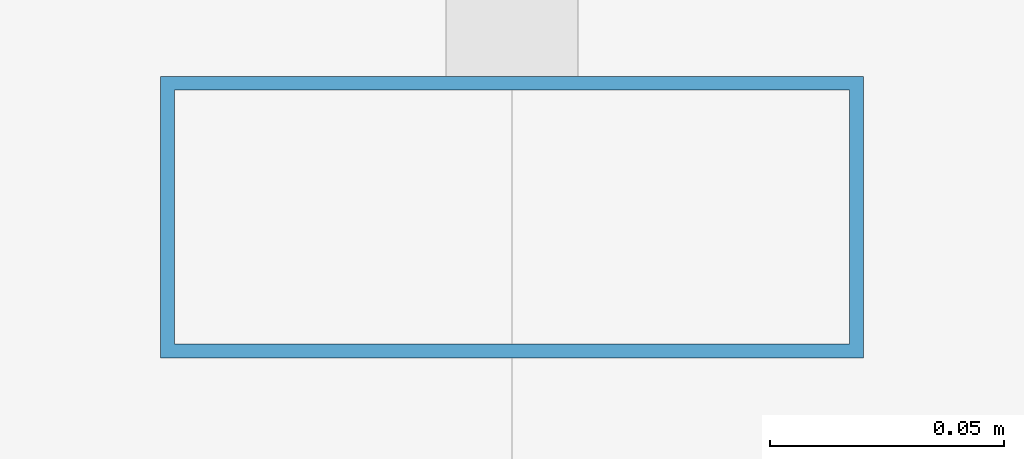
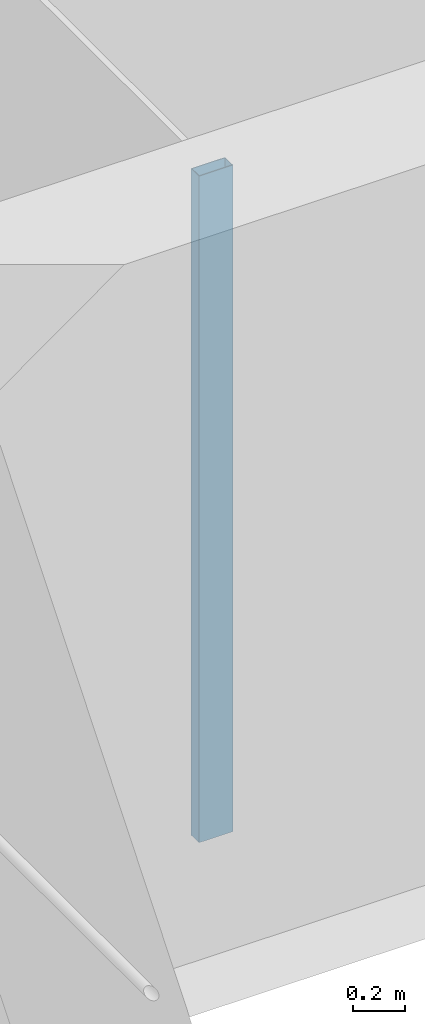
# One storey, part 11 of 40: 1 member, 1 element without a shape of its own.
"""IFC4 building model written with IfcOpenShell, lengths in metres."""

from ifc_helpers import new_model, si_unit, direction, frame, origin, origin_2d, place, context, subcontext, project, spatial, hollow_rectangle, extrude, material, material_profile, profile_set, type_object, element, aggregate, save


model = new_model("IFC4")

# Units and contexts
model_context = context("Model", 3, precision=1e-05, world=origin(), true_north=direction((0.0, 1.0)))
body_context = subcontext(model_context, "Body", "Model", "MODEL_VIEW")
ifc_project = project(units=[si_unit("LENGTHUNIT", "METRE"), si_unit("AREAUNIT", "SQUARE_METRE"), si_unit("VOLUMEUNIT", "CUBIC_METRE"), si_unit("PLANEANGLEUNIT", "RADIAN"), si_unit("MASSUNIT", "GRAM", prefix="KILO")], contexts=[model_context])

# Site, building, storey
site_placement = place(None, origin())
site = spatial("IfcSite", under=ifc_project, at=site_placement, CompositionType="ELEMENT")
building_placement = place(site_placement, origin())
building = spatial("IfcBuilding", under=site, at=building_placement, Name="Altepetl Exchange Towers", CompositionType="ELEMENT")
storey_placement = place(building_placement, frame((0.0, 0.0, 147.39990234375)))
storey = spatial("IfcBuildingStorey", under=building, at=storey_placement, Name="L36", CompositionType="ELEMENT", Elevation=147.39990234375)

# Curtain wall, member
ifc_material_1 = material(Name="Aluminium 6063-T6 glazing", Category="aluminium")
curtain_wall_type = type_object("IfcCurtainWallType", Name="Loggia glazing system", PredefinedType="NOTDEFINED", material=ifc_material_1)
curtain_wall_placement = place(storey_placement, origin())
curtain_wall = element("IfcCurtainWall", 1, at=curtain_wall_placement, inside=storey, type_object=curtain_wall_type, Name="CW1 run", PredefinedType="NOTDEFINED")
ifc_material_2 = material(Name="Aluminium 6063-T6", Category="aluminium")
ifc_material_profile = material_profile(ifc_material_2, hollow_rectangle(XDim=0.06005859375, YDim=0.14990234375, WallThickness=0.0029296875, at=origin_2d()), Name="Mullion 60x150 aluminium")
ifc_profile_set = profile_set([ifc_material_profile], Name="Aluminium 6063-T6")
member_type = type_object("IfcMemberType", Name="Mullion 60x150 aluminium", PredefinedType="MULLION", material=ifc_profile_set)
member_placement = place(storey_placement, frame((42.5, 58.60498046875, 0.0), z_axis=(0.0, 0.0, 1.0), x_axis=(0.0, -1.0, 0.0)))
member = element("IfcMember", 2, at=member_placement, type_object=member_type, Name="MU1 mullion", PredefinedType="MULLION", context=body_context, shape_type="SweptSolid", body=[
    extrude(hollow_rectangle(XDim=0.06005859375, YDim=0.14990234375, WallThickness=0.0029296875, at=origin_2d()), origin(), (0.0, 0.0, 1.0), 3.10009765625),
])
aggregate(curtain_wall, [member])

save(model, "model.ifc")
